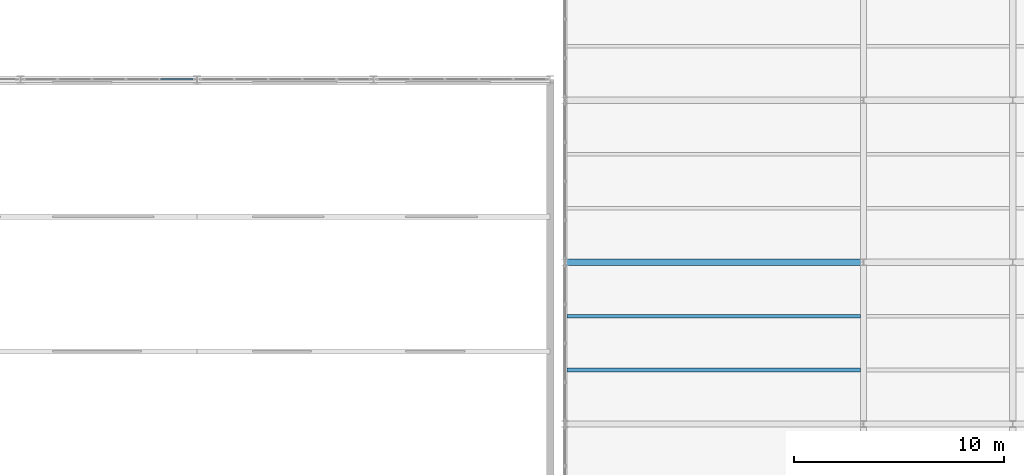
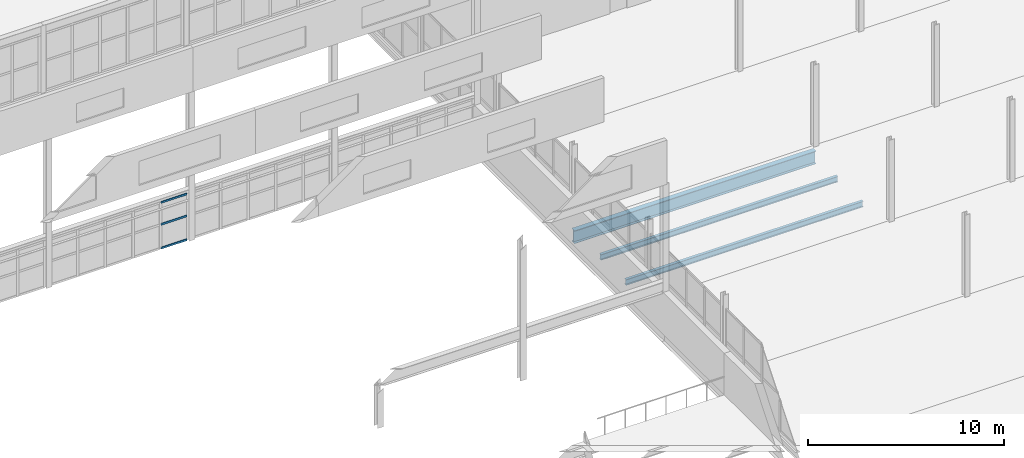
# One storey, part 127 of 218: 3 beams, 3 members, 1 element without a shape of its own.
"""IFC4 building model written with IfcOpenShell, lengths in metres."""

from ifc_helpers import new_model, si_unit, direction, frame, origin, origin_2d, place, context, subcontext, project, spatial, hollow_rectangle, i_section, extrude, material, material_profile, profile_set, type_object, element, aggregate, save


model = new_model("IFC4")

# Units and contexts
model_context = context("Model", 3, precision=1e-05, world=origin(), true_north=direction((0.0, 1.0)))
body_context = subcontext(model_context, "Body", "Model", "MODEL_VIEW")
ifc_project = project(units=[si_unit("LENGTHUNIT", "METRE"), si_unit("AREAUNIT", "SQUARE_METRE"), si_unit("VOLUMEUNIT", "CUBIC_METRE"), si_unit("PLANEANGLEUNIT", "RADIAN"), si_unit("MASSUNIT", "GRAM", prefix="KILO")], contexts=[model_context])

# Site, building, storey
site_placement = place(None, origin())
site = spatial("IfcSite", under=ifc_project, at=site_placement, CompositionType="ELEMENT")
building_placement = place(site_placement, origin())
building = spatial("IfcBuilding", under=site, at=building_placement, Name="Kazenagashi Tramway Depot", CompositionType="ELEMENT")
storey_placement = place(building_placement, frame((0.0, 0.0, 6.0)))
storey = spatial("IfcBuildingStorey", under=building, at=storey_placement, Name="L02", CompositionType="ELEMENT", Elevation=6.0)

# Beams
ifc_material_1 = material(Name="Steel SN490B", Category="steel")
ifc_material_profile_1 = material_profile(ifc_material_1, i_section(OverallWidth=0.3, OverallDepth=0.8, WebThickness=0.014, FlangeThickness=0.026, at=origin_2d()), Name="H-800x300x14x26")
ifc_profile_set_1 = profile_set([ifc_material_profile_1], Name="Steel SN490B")
beam_type_1 = type_object("IfcBeamType", Name="G-07", PredefinedType="BEAM", material=ifc_profile_set_1)
beam_placement = place(storey_placement, frame((146.3, 46.2, -0.68), z_axis=(1.0, 0.0, 0.0), x_axis=(0.0, 1.0, 0.0)))
element("IfcBeam", 1, at=beam_placement, inside=storey, type_object=beam_type_1, Name="Beam G-07 BM-1211", PredefinedType="BEAM", context=body_context, shape_type="SweptSolid", body=[
    extrude(i_section(OverallWidth=0.3, OverallDepth=0.8, WebThickness=0.014, FlangeThickness=0.026, at=origin_2d()), origin(), (0.0, 0.0, 1.0), 14.2),
])
ifc_material_2 = material(Name="Steel SN400B", Category="steel")
ifc_material_profile_2 = material_profile(ifc_material_2, i_section(OverallWidth=0.175, OverallDepth=0.35, WebThickness=0.007, FlangeThickness=0.011, at=origin_2d()), Name="H-350x175x7x11")
ifc_profile_set_2 = profile_set([ifc_material_profile_2], Name="Steel SN400B")
beam_type_2 = type_object("IfcBeamType", Name="J-01", PredefinedType="JOIST", material=ifc_profile_set_2)
for number, where, z_axis, x_axis, name in (
    (2, (146.4, 41.067, -0.455), (1.0, 0.0, 0.0), (0.0, 1.0, 0.0), "Beam J-01 BM-1245"),
    (3, (146.4, 43.633, -0.455), (1.0, 0.0, 0.0), (0.0, 1.0, 0.0), "Beam J-01 BM-1246"),
):
    element("IfcBeam", number, at=place(storey_placement, frame(where, z_axis=z_axis, x_axis=x_axis)), inside=storey, type_object=beam_type_2, Name=name, PredefinedType="JOIST", context=body_context, shape_type="SweptSolid", body=[
        extrude(i_section(OverallWidth=0.175, OverallDepth=0.35, WebThickness=0.007, FlangeThickness=0.011, at=origin_2d()), origin(), (0.0, 0.0, 1.0), 13.95),
    ])

# Curtain wall, members
ifc_material_3 = material(Name="Anodised Aluminium and Low-E Glazing", Category="aluminium")
curtain_wall_type = type_object("IfcCurtainWallType", Name="CW-21", PredefinedType="USERDEFINED", material=ifc_material_3)
curtain_wall_placement = place(storey_placement, origin())
curtain_wall = element("IfcCurtainWall", 4, at=curtain_wall_placement, inside=storey, type_object=curtain_wall_type, Name="Industrial Glazed Screen CW-21 CW-0116", ObjectType="GLAZED SCREEN", PredefinedType="USERDEFINED")
ifc_material_4 = material(Name="Anodised Aluminium", Category="aluminium")
ifc_material_profile_3 = material_profile(ifc_material_4, hollow_rectangle(XDim=0.06, YDim=0.12, WallThickness=0.004, at=origin_2d()), Name="RHS-120x60x4")
ifc_profile_set_3 = profile_set([ifc_material_profile_3], Name="Anodised Aluminium")
member_type = type_object("IfcMemberType", Name="TR-01", PredefinedType="USERDEFINED", material=ifc_profile_set_3)
member_1_placement = place(storey_placement, frame((127.066, 54.9, 0.03), z_axis=(1.0, 0.0, 0.0), x_axis=(0.0, 1.0, 0.0)))
member_1 = element("IfcMember", 5, at=member_1_placement, type_object=member_type, Name="CW-21 transom 5.1", ObjectType="TRANSOM", PredefinedType="USERDEFINED", context=body_context, shape_type="SweptSolid", body=[
    extrude(hollow_rectangle(XDim=0.06, YDim=0.12, WallThickness=0.004, at=origin_2d()), origin(), (0.0, 0.0, 1.0), 1.534),
])
member_2_placement = place(storey_placement, frame((127.066, 54.9, 1.508), z_axis=(1.0, 0.0, 0.0), x_axis=(0.0, 1.0, 0.0)))
member_2 = element("IfcMember", 6, at=member_2_placement, type_object=member_type, Name="CW-21 transom 5.2", ObjectType="TRANSOM", PredefinedType="USERDEFINED", context=body_context, shape_type="SweptSolid", body=[
    extrude(hollow_rectangle(XDim=0.06, YDim=0.12, WallThickness=0.004, at=origin_2d()), origin(), (0.0, 0.0, 1.0), 1.534),
])
member_3_placement = place(storey_placement, frame((127.066, 54.9, 2.87), z_axis=(1.0, 0.0, 0.0), x_axis=(0.0, 1.0, 0.0)))
member_3 = element("IfcMember", 7, at=member_3_placement, type_object=member_type, Name="CW-21 transom 5.3", ObjectType="TRANSOM", PredefinedType="USERDEFINED", context=body_context, shape_type="SweptSolid", body=[
    extrude(hollow_rectangle(XDim=0.06, YDim=0.12, WallThickness=0.004, at=origin_2d()), origin(), (0.0, 0.0, 1.0), 1.534),
])
aggregate(curtain_wall, [member_1, member_2, member_3])

save(model, "model.ifc")
